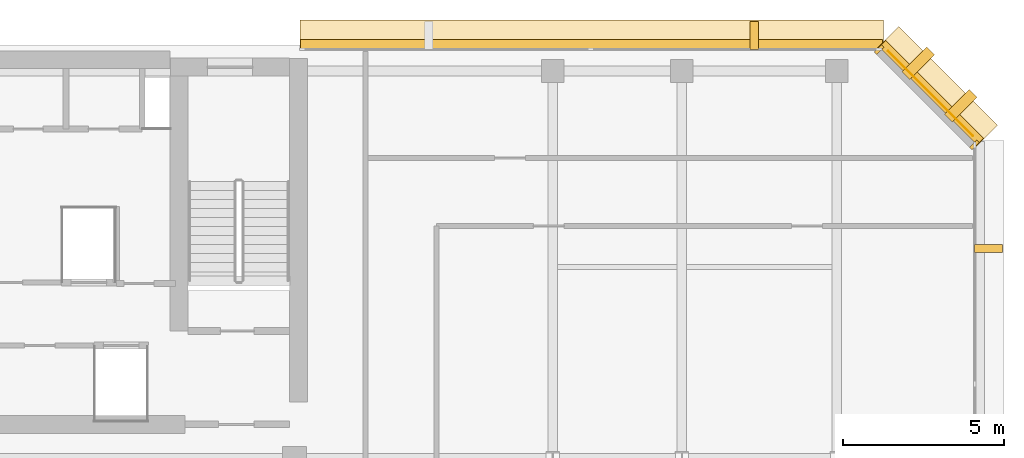
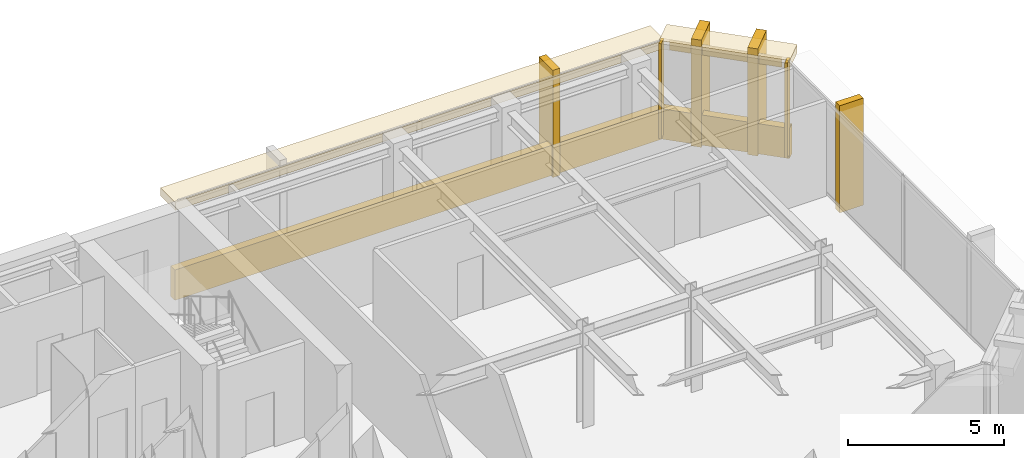
# One storey, part 11 of 11: 11 coverings.
"""IFC4 building model written with IfcOpenShell, lengths in metres."""

from ifc_helpers import new_model, si_unit, direction, frame, origin, origin_2d, place, context, subcontext, project, spatial, rectangle, extrude, material, layer, layer_set, type_object, element, save


model = new_model("IFC4")

# Units and contexts
model_context = context("Model", 3, precision=1e-05, world=origin(), true_north=direction((0.0, 1.0)))
body_context = subcontext(model_context, "Body", "Model", "MODEL_VIEW")
ifc_project = project(units=[si_unit("LENGTHUNIT", "METRE"), si_unit("AREAUNIT", "SQUARE_METRE"), si_unit("VOLUMEUNIT", "CUBIC_METRE"), si_unit("PLANEANGLEUNIT", "RADIAN"), si_unit("MASSUNIT", "GRAM", prefix="KILO")], contexts=[model_context])

# Site, building, storey
site_placement = place(None, origin())
site = spatial("IfcSite", under=ifc_project, at=site_placement, CompositionType="ELEMENT")
building_placement = place(site_placement, origin())
building = spatial("IfcBuilding", under=site, at=building_placement, Name="Kefirva Bronze Tower", CompositionType="ELEMENT")
storey_placement = place(building_placement, frame((0.0, 0.0, 343.530029296875)))
storey = spatial("IfcBuildingStorey", under=building, at=storey_placement, Name="L84", CompositionType="ELEMENT", Elevation=343.530029296875)

# Coverings
ifc_material = material(Name="Bronze anodised aluminium", Category="aluminium")
ifc_layer_1 = layer(ifc_material, 0.02001953125, Name="Bronze anodised aluminium")
ifc_layer_set_1 = layer_set([ifc_layer_1], Name="Bronze anodised aluminium")
covering_type_1 = type_object("IfcCoveringType", Name="Anodised Bronze Spandrel Cladding 20mm", PredefinedType="CLADDING", material=ifc_layer_set_1)
covering_1_placement = place(storey_placement, frame((42.906982421875, 44.507080078125, 3.2900390625), z_axis=(0.0, 0.0, 1.0), x_axis=(-0.707106781187, 0.707106781187, 0.0)))
element("IfcCovering", 1, at=covering_1_placement, inside=storey, type_object=covering_type_1, Name="L84 Bronze Spandrel Cladding 5", PredefinedType="CLADDING", context=body_context, shape_type="SweptSolid", body=[
    extrude(rectangle(XDim=3.719482421875, YDim=0.02001953125, at=origin_2d()), origin(), (0.0, 0.0, 1.0), 0.39990234375),
])
for number, where, z_axis, x_axis, name in (
    (2, (44.26220703125, 42.91162109375, 0.0), (0.0, 0.0, 1.0), (-0.707106781187, 0.707106781187, 0.0), "L84 Facade Joint Closure Panel 5S"),
    (3, (41.311767578125, 45.862060546875, 0.0), (0.0, 0.0, 1.0), (-0.707106781187, 0.707106781187, 0.0), "L84 Facade Joint Closure Panel 5E"),
):
    element("IfcCovering", number, at=place(storey_placement, frame(where, z_axis=z_axis, x_axis=x_axis)), inside=storey, type_object=covering_type_1, Name=name, PredefinedType="CLADDING", context=body_context, shape_type="SweptSolid", body=[
        extrude(rectangle(XDim=0.10009765625, YDim=0.320068359375, at=origin_2d()), origin(), (0.0, 0.0, 1.0), 3.7099609375),
    ])
covering_2_placement = place(storey_placement, frame((42.92822265625, 44.5283203125, -0.16015625), z_axis=(0.0, 0.0, 1.0), x_axis=(-0.707106781187, 0.707106781187, 0.0)))
element("IfcCovering", 4, at=covering_2_placement, inside=storey, type_object=covering_type_1, Name="L84 Streamline Horizontal Spandrel Band 7", PredefinedType="CLADDING", context=body_context, shape_type="SweptSolid", body=[
    extrude(rectangle(XDim=4.28271484375, YDim=0.280029296875, at=origin_2d()), origin(), (0.0, 0.0, 1.0), 1.179931640625),
])
covering_3_placement = place(storey_placement, frame((32.402587890625, 46.0400390625, -0.16015625), z_axis=(0.0, 0.0, 1.0), x_axis=(-1.0, 0.0, 0.0)))
element("IfcCovering", 5, at=covering_3_placement, inside=storey, type_object=covering_type_1, Name="L84 Streamline Horizontal Spandrel Band 8", PredefinedType="CLADDING", context=body_context, shape_type="SweptSolid", body=[
    extrude(rectangle(XDim=18.034912109375, YDim=0.280029296875, at=origin_2d()), origin(), (0.0, 0.0, 1.0), 1.179931640625),
])
ifc_layer_2 = layer(ifc_material, 0.179931640625, Name="Bronze anodised aluminium")
ifc_layer_set_2 = layer_set([ifc_layer_2], Name="Bronze anodised aluminium")
covering_type_2 = type_object("IfcCoveringType", Name="Streamline Bronze Sunshade Eyebrow Cladding 180mm", PredefinedType="CLADDING", material=ifc_layer_set_2)
covering_4_placement = place(storey_placement, frame((43.119140625, 44.71923828125, 3.39013671875), z_axis=(0.0, 0.0, 1.0), x_axis=(-0.707106781187, 0.707106781187, 0.0)))
element("IfcCovering", 6, at=covering_4_placement, inside=storey, type_object=covering_type_2, Name="L84 Streamline Bronze Sunshade Eyebrow 7", PredefinedType="CLADDING", context=body_context, shape_type="SweptSolid", body=[
    extrude(rectangle(XDim=4.322509765625, YDim=0.93994140625, at=origin_2d()), origin(), (0.0, 0.0, 1.0), 0.320068359375),
])
covering_5_placement = place(storey_placement, frame((32.402587890625, 46.31005859375, 3.39013671875), z_axis=(0.0, 0.0, 1.0), x_axis=(-1.0, 0.0, 0.0)))
element("IfcCovering", 7, at=covering_5_placement, inside=storey, type_object=covering_type_2, Name="L84 Streamline Bronze Sunshade Eyebrow 8", PredefinedType="CLADDING", context=body_context, shape_type="SweptSolid", body=[
    extrude(rectangle(XDim=18.074951171875, YDim=0.93994140625, at=origin_2d()), origin(), (0.0, 0.0, 1.0), 0.320068359375),
])
ifc_layer_3 = layer(ifc_material, 0.260009765625, Name="Bronze anodised aluminium")
ifc_layer_set_3 = layer_set([ifc_layer_3], Name="Bronze anodised aluminium")
covering_type_3 = type_object("IfcCoveringType", Name="Unbroken Bronze Buttress Fin Cladding 260mm", PredefinedType="CLADDING", material=ifc_layer_set_3)
covering_6_placement = place(storey_placement, frame((44.699951171875, 39.699951171875, -0.22021484375), z_axis=(0.0, 0.0, 1.0), x_axis=(0.0, 1.0, 0.0)))
element("IfcCovering", 8, at=covering_6_placement, inside=storey, type_object=covering_type_3, Name="L84 Unbroken Vertical Bronze Rib Fin 14", PredefinedType="CLADDING", context=body_context, shape_type="SweptSolid", body=[
    extrude(rectangle(XDim=0.260009765625, YDim=0.8798828125, at=origin_2d()), origin(), (0.0, 0.0, 1.0), 4.179931640625),
])
for number, where, z_axis, x_axis, name in (
    (9, (43.8427734375, 44.122802734375, -0.22021484375), (0.0, 0.0, 1.0), (-0.707106781187, 0.707106781187, 0.0), "L84 Chamfered Corner Buttress Fin Cladding 15"),
    (10, (42.522705078125, 45.44287109375, -0.22021484375), (0.0, 0.0, 1.0), (-0.707106781187, 0.707106781187, 0.0), "L84 Chamfered Corner Buttress Fin Cladding 16"),
):
    element("IfcCovering", number, at=place(storey_placement, frame(where, z_axis=z_axis, x_axis=x_axis)), inside=storey, type_object=covering_type_3, Name=name, PredefinedType="CLADDING", context=body_context, shape_type="SweptSolid", body=[
        extrude(rectangle(XDim=0.340087890625, YDim=1.080078125, at=origin_2d()), origin(), (0.0, 0.0, 1.0), 4.179931640625),
    ])
covering_7_placement = place(storey_placement, frame((37.441162109375, 46.300048828125, -0.22021484375), z_axis=(0.0, 0.0, 1.0), x_axis=(-1.0, 0.0, 0.0)))
element("IfcCovering", 11, at=covering_7_placement, inside=storey, type_object=covering_type_3, Name="L84 Unbroken Vertical Bronze Rib Fin 17", PredefinedType="CLADDING", context=body_context, shape_type="SweptSolid", body=[
    extrude(rectangle(XDim=0.260009765625, YDim=0.8798828125, at=origin_2d()), origin(), (0.0, 0.0, 1.0), 4.179931640625),
])

save(model, "model.ifc")
